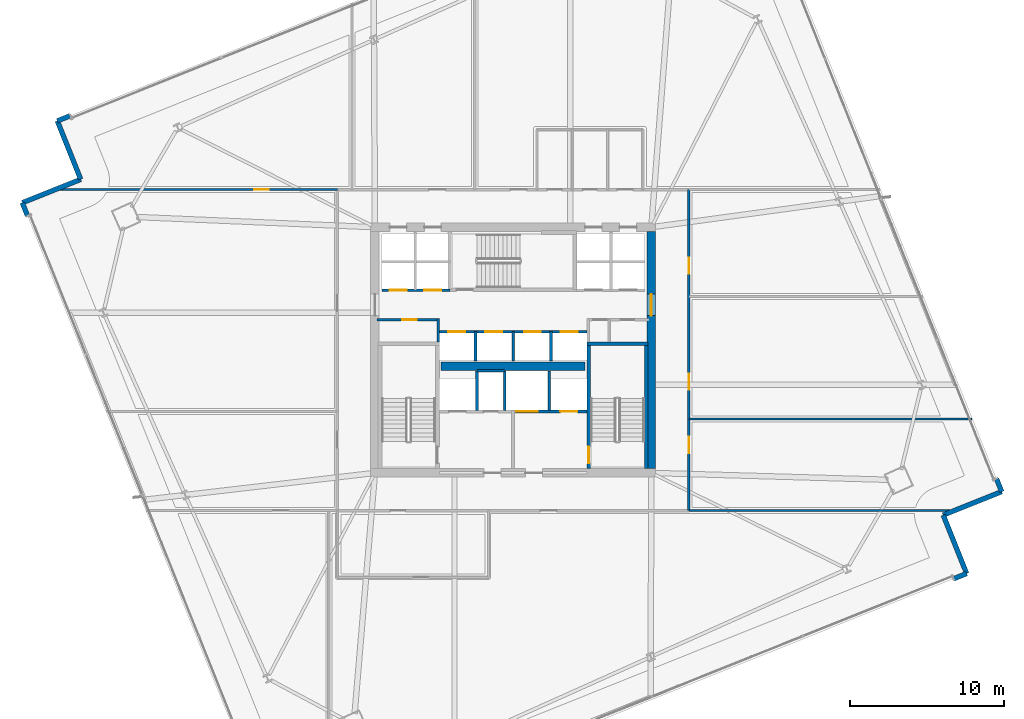
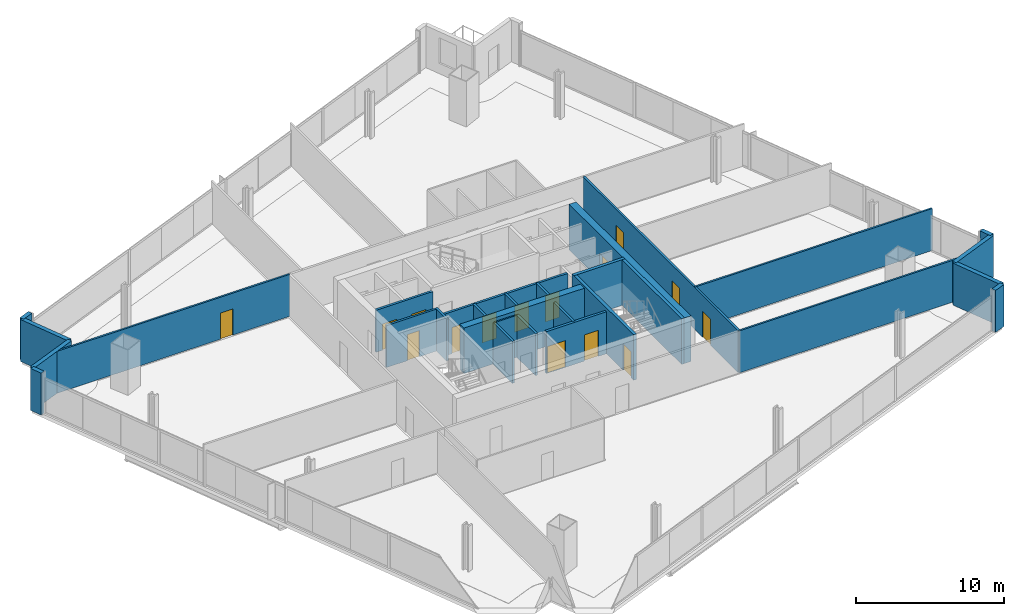
# One storey, part 25 of 33: 29 walls, 15 doors, 15 openings.
"""IFC4 building model written with IfcOpenShell, lengths in metres."""

from ifc_helpers import new_model, si_unit, direction, frame, frame_2d, origin, place, context, subcontext, project, spatial, rectangle, extrude, material, layer, layer_set, type_object, element, fill, save


model = new_model("IFC4")

# Units and contexts
model_context = context("Model", 3, precision=1e-05, world=origin(), true_north=direction((0.0, 1.0)))
body_context = subcontext(model_context, "Body", "Model", "MODEL_VIEW")
ifc_project = project(units=[si_unit("LENGTHUNIT", "METRE"), si_unit("AREAUNIT", "SQUARE_METRE"), si_unit("VOLUMEUNIT", "CUBIC_METRE"), si_unit("PLANEANGLEUNIT", "RADIAN"), si_unit("MASSUNIT", "GRAM", prefix="KILO")], contexts=[model_context])

# Site, building, storey
site_placement = place(None, origin())
site = spatial("IfcSite", under=ifc_project, at=site_placement, CompositionType="ELEMENT")
building_placement = place(site_placement, origin())
building = spatial("IfcBuilding", under=site, at=building_placement, Name="Haldenkirk Collegiate Tower", CompositionType="ELEMENT")
storey_placement = place(building_placement, frame((0.0, 0.0, 101.699951171875)))
storey = spatial("IfcBuildingStorey", under=building, at=storey_placement, Name="L24", CompositionType="ELEMENT", Elevation=101.699951171875)

# Wall, opening, door
ifc_material_1 = material(Name="Concrete f'c 70 MPa", Category="concrete")
ifc_layer_1 = layer(ifc_material_1, 0.550048828125)
ifc_layer_set_1 = layer_set([ifc_layer_1], Name="Concrete f'c 70 MPa")
wall_type_1 = type_object("IfcWallType", Name="WL-CORE-550", PredefinedType="SHEAR", material=ifc_layer_set_1)
wall_1_placement = place(storey_placement, frame((45.0, 18.27490234375, 0.0), z_axis=(0.0, 0.0, 1.0), x_axis=(0.0, 1.0, 0.0)))
wall_1 = element("IfcWall", 1, at=wall_1_placement, inside=storey, type_object=wall_type_1, Name="L24 central core shear wall E", PredefinedType="SHEAR", context=body_context, shape_type="SweptSolid", body=[
    extrude(rectangle(XDim=15.4501953125, YDim=0.550048828125, at=frame_2d((7.72509765625, 0.0))), origin(), (0.0, 0.0, 1.0), 3.75),
])
opening_1_placement = place(wall_1_placement, frame((9.965087890625, 0.0, 0.0)))
opening_1 = element("IfcOpeningElement", 2, at=opening_1_placement, cuts=wall_1, Name="Opening D-03", PredefinedType="OPENING", context=body_context, shape_type="SweptSolid", body=[
    extrude(rectangle(XDim=1.39990234375, YDim=2.199951171875, at=frame_2d((0.699951171875, 1.10009765625))), frame((0.0, 0.284912109375, 0.0), z_axis=(0.0, -1.0, 0.0), x_axis=(1.0, 0.0, 0.0)), (0.0, 0.0, 1.0), 0.570068359375),
])
ifc_material_2 = material(Name="Galvanized fire-rated hollow steel door", Category="steel")
ifc_layer_2 = layer(ifc_material_2, 0.06005859375)
ifc_layer_set_2 = layer_set([ifc_layer_2], Name="Galvanized fire-rated hollow steel door")
door_type_1 = type_object("IfcDoorType", Name="DR-LOBBY-FD90-1400", OperationType="NOTDEFINED", PredefinedType="DOOR", material=ifc_layer_set_2)
door_1_placement = place(opening_1_placement, origin())
door_1 = element("IfcDoor", 3, at=door_1_placement, inside=storey, type_object=door_type_1, Name="L24 east lift lobby portal", OperationType="DOUBLE_DOOR_SINGLE_SWING", OverallHeight=2.199951171875, OverallWidth=1.39990234375, PredefinedType="DOOR", context=body_context, shape_type="SweptSolid", body=[
    extrude(rectangle(XDim=1.39990234375, YDim=2.199951171875, at=frame_2d((0.699951171875, 1.10009765625))), frame((0.0, 0.02490234375, 0.0), z_axis=(0.0, -1.0, 0.0), x_axis=(1.0, 0.0, 0.0)), (0.0, 0.0, 1.0), 0.050048828125),
])
fill(opening_1, door_1)

# Walls
wall_2_placement = place(storey_placement, frame((31.31005859375, 24.949951171875, 0.0), z_axis=(0.0, 0.0, 1.0), x_axis=(1.0, 0.0, 0.0)))
element("IfcWall", 4, at=wall_2_placement, inside=storey, type_object=wall_type_1, Name="L24 central core spine shear wall", PredefinedType="SHEAR", context=body_context, shape_type="SweptSolid", body=[
    extrude(rectangle(XDim=9.3798828125, YDim=0.550048828125, at=frame_2d((4.68994140625, 0.0))), origin(), (0.0, 0.0, 1.0), 3.75),
])
ifc_material_3 = material(Name="Precast concrete f'c 40 MPa", Category="concrete")
ifc_layer_3 = layer(ifc_material_3, 0.320068359375)
ifc_layer_set_3 = layer_set([ifc_layer_3], Name="Precast concrete f'c 40 MPa")
wall_type_2 = type_object("IfcWallType", Name="WL-EXT-TWR-320", PredefinedType="STANDARD", material=ifc_layer_set_3)
wall_3_placement = place(storey_placement, frame((65.537841796875, 11.447998046875, 0.0), z_axis=(0.0, 0.0, 1.0), x_axis=(-0.928139514841, -0.372232509314, 0.0)))
element("IfcWall", 5, at=wall_3_placement, inside=storey, type_object=wall_type_2, Name="L24 precast corner pier SL", PredefinedType="STANDARD", context=body_context, shape_type="SweptSolid", body=[
    extrude(rectangle(XDim=0.89990234375, YDim=0.320068359375, at=frame_2d((0.449951171875, 0.0))), origin(), (0.0, 0.0, 1.0), 3.449951171875),
])
for number, where, z_axis, x_axis, name in (
    (6, (64.011962890625, 15.25341796875, 0.0), (0.0, 0.0, 1.0), (0.372170820584, -0.92816425287, 0.0), "L24 bronze precast notch wall 02"),
    (7, (67.8173828125, 16.779296875, 0.0), (0.0, 0.0, 1.0), (-0.92816425287, -0.372170820584, 0.0), "L24 bronze precast notch wall 03"),
):
    element("IfcWall", number, at=place(storey_placement, frame(where, z_axis=z_axis, x_axis=x_axis)), inside=storey, type_object=wall_type_2, Name=name, PredefinedType="STANDARD", context=body_context, shape_type="SweptSolid", body=[
        extrude(rectangle(XDim=4.099853515625, YDim=0.320068359375, at=frame_2d((2.0498046875, 0.0))), origin(), (0.0, 0.0, 1.0), 3.449951171875),
    ])
wall_4_placement = place(storey_placement, frame((67.482421875, 17.61474609375, 0.0), z_axis=(0.0, 0.0, 1.0), x_axis=(0.372138799042, -0.928177092072, 0.0)))
element("IfcWall", 8, at=wall_4_placement, inside=storey, type_object=wall_type_2, Name="L24 precast corner pier ER", PredefinedType="STANDARD", context=body_context, shape_type="SweptSolid", body=[
    extrude(rectangle(XDim=0.900146484375, YDim=0.320068359375, at=frame_2d((0.4501953125, 0.0))), origin(), (0.0, 0.0, 1.0), 3.449951171875),
])
wall_5_placement = place(storey_placement, frame((6.313232421875, 40.92333984375, 0.0), z_axis=(0.0, 0.0, 1.0), x_axis=(0.928139514841, 0.372232509314, 0.0)))
element("IfcWall", 9, at=wall_5_placement, inside=storey, type_object=wall_type_2, Name="L24 precast corner pier NL", PredefinedType="STANDARD", context=body_context, shape_type="SweptSolid", body=[
    extrude(rectangle(XDim=0.89990234375, YDim=0.320068359375, at=frame_2d((0.449951171875, 0.0))), origin(), (0.0, 0.0, 1.0), 3.449951171875),
])
wall_6_placement = place(storey_placement, frame((7.839111328125, 37.117919921875, 0.0), z_axis=(0.0, 0.0, 1.0), x_axis=(-0.372170820584, 0.92816425287, 0.0)))
element("IfcWall", 10, at=wall_6_placement, inside=storey, type_object=wall_type_2, Name="L24 bronze precast notch wall 08", PredefinedType="STANDARD", context=body_context, shape_type="SweptSolid", body=[
    extrude(rectangle(XDim=4.099853515625, YDim=0.320068359375, at=frame_2d((2.0498046875, 0.0))), origin(), (0.0, 0.0, 1.0), 3.449951171875),
])
wall_7_placement = place(storey_placement, frame((4.03369140625, 35.591796875, 0.0), z_axis=(0.0, 0.0, 1.0), x_axis=(0.928143682137, 0.372222118242, 0.0)))
element("IfcWall", 11, at=wall_7_placement, inside=storey, type_object=wall_type_2, Name="L24 bronze precast notch wall 09", PredefinedType="STANDARD", context=body_context, shape_type="SweptSolid", body=[
    extrude(rectangle(XDim=4.10009765625, YDim=0.320068359375, at=frame_2d((2.050048828125, 0.0))), origin(), (0.0, 0.0, 1.0), 3.449951171875),
])
wall_8_placement = place(storey_placement, frame((4.36865234375, 34.756591796875, 0.0), z_axis=(0.0, 0.0, 1.0), x_axis=(-0.372232509314, 0.928139514841, 0.0)))
element("IfcWall", 12, at=wall_8_placement, inside=storey, type_object=wall_type_2, Name="L24 precast corner pier WR", PredefinedType="STANDARD", context=body_context, shape_type="SweptSolid", body=[
    extrude(rectangle(XDim=0.89990234375, YDim=0.320068359375, at=frame_2d((0.449951171875, 0.0))), origin(), (0.0, 0.0, 1.0), 3.449951171875),
])

# Wall, opening, door
ifc_material_4 = material(Name="Acoustic fire-rated gypsum partition", Category="concrete")
ifc_layer_4 = layer(ifc_material_4, 0.159912109375)
ifc_layer_set_4 = layer_set([ifc_layer_4], Name="Acoustic fire-rated gypsum partition")
wall_type_3 = type_object("IfcWallType", Name="WL-INT-CORR-160", PredefinedType="PARTITIONING", material=ifc_layer_set_4)
wall_9_placement = place(storey_placement, frame((27.14990234375, 27.97998046875, 0.0), z_axis=(0.0, 0.0, 1.0), x_axis=(1.0, 0.0, 0.0)))
wall_9 = element("IfcWall", 13, at=wall_9_placement, inside=storey, type_object=wall_type_3, Name="L24 interior partition IW-L24-VCSW-N", PredefinedType="PARTITIONING", context=body_context, shape_type="SweptSolid", body=[
    extrude(rectangle(XDim=4.050048828125, YDim=0.159912109375, at=frame_2d((2.02490234375, 0.0))), origin(), (0.0, 0.0, 1.0), 3.449951171875),
])
opening_2_placement = place(wall_9_placement, frame((1.625, 0.0, 0.0)))
opening_2 = element("IfcOpeningElement", 14, at=opening_2_placement, cuts=wall_9, Name="Opening D-10", PredefinedType="OPENING", context=body_context, shape_type="SweptSolid", body=[
    extrude(rectangle(XDim=0.949951171875, YDim=2.14990234375, at=frame_2d((0.47509765625, 1.074951171875))), frame((0.0, 0.08984375, 0.0), z_axis=(0.0, -1.0, 0.0), x_axis=(1.0, 0.0, 0.0)), (0.0, 0.0, 1.0), 0.179931640625),
])
ifc_material_5 = material(Name="Solid-core architectural oak fire door", Category="wood")
ifc_layer_5 = layer(ifc_material_5, 0.06005859375)
ifc_layer_set_5 = layer_set([ifc_layer_5], Name="Solid-core architectural oak fire door")
door_type_2 = type_object("IfcDoorType", Name="DR-INT-FD60-950", OperationType="NOTDEFINED", PredefinedType="DOOR", material=ifc_layer_set_5)
door_2_placement = place(opening_2_placement, origin())
door_2 = element("IfcDoor", 15, at=door_2_placement, inside=storey, type_object=door_type_2, Name="L24 core tea pantry door", OperationType="SINGLE_SWING_RIGHT", OverallHeight=2.14990234375, OverallWidth=0.949951171875, PredefinedType="DOOR", context=body_context, shape_type="SweptSolid", body=[
    extrude(rectangle(XDim=0.949951171875, YDim=2.14990234375, at=frame_2d((0.47509765625, 1.074951171875))), frame((0.0, 0.02490234375, 0.0), z_axis=(0.0, -1.0, 0.0), x_axis=(1.0, 0.0, 0.0)), (0.0, 0.0, 1.0), 0.050048828125),
])
fill(opening_2, door_2)

# Wall
wall_10_placement = place(storey_placement, frame((31.1201171875, 26.5400390625, 0.0), z_axis=(0.0, 0.0, 1.0), x_axis=(0.0, 1.0, 0.0)))
element("IfcWall", 16, at=wall_10_placement, inside=storey, type_object=wall_type_3, Name="L24 interior partition IW-L24-VCSW-E", PredefinedType="PARTITIONING", context=body_context, shape_type="SweptSolid", body=[
    extrude(rectangle(XDim=1.510009765625, YDim=0.159912109375, at=frame_2d((0.7548828125, 0.0))), origin(), (0.0, 0.0, 1.0), 3.449951171875),
])

# Wall, openings, doors
wall_11_placement = place(storey_placement, frame((47.449951171875, 15.550048828125, 0.0), z_axis=(0.0, 0.0, 1.0), x_axis=(0.0, 1.0, 0.0)))
wall_11 = element("IfcWall", 17, at=wall_11_placement, inside=storey, type_object=wall_type_3, Name="L24 interior partition IW-L24-CE", PredefinedType="PARTITIONING", context=body_context, shape_type="SweptSolid", body=[
    extrude(rectangle(XDim=20.89990234375, YDim=0.159912109375, at=frame_2d((10.449951171875, 0.0))), origin(), (0.0, 0.0, 1.0), 3.449951171875),
])
opening_3_placement = place(wall_11_placement, frame((3.7470703125, 0.0, 0.0)))
opening_3 = element("IfcOpeningElement", 18, at=opening_3_placement, cuts=wall_11, Name="Opening D-09", PredefinedType="OPENING", context=body_context, shape_type="SweptSolid", body=[
    extrude(rectangle(XDim=1.050048828125, YDim=2.14990234375, at=frame_2d((0.52490234375, 1.074951171875))), frame((0.0, 0.08984375, 0.0), z_axis=(0.0, -1.0, 0.0), x_axis=(1.0, 0.0, 0.0)), (0.0, 0.0, 1.0), 0.179931640625),
])
opening_4_placement = place(wall_11_placement, frame((7.864990234375, 0.0, 0.0)))
opening_4 = element("IfcOpeningElement", 19, at=opening_4_placement, cuts=wall_11, Name="Opening D-09", PredefinedType="OPENING", context=body_context, shape_type="SweptSolid", body=[
    extrude(rectangle(XDim=1.050048828125, YDim=2.14990234375, at=frame_2d((0.52490234375, 1.074951171875))), frame((0.0, 0.08984375, 0.0), z_axis=(0.0, -1.0, 0.0), x_axis=(1.0, 0.0, 0.0)), (0.0, 0.0, 1.0), 0.179931640625),
])
opening_5_placement = place(wall_11_placement, frame((15.423095703125, 0.0, 0.0)))
opening_5 = element("IfcOpeningElement", 20, at=opening_5_placement, cuts=wall_11, Name="Opening D-09", PredefinedType="OPENING", context=body_context, shape_type="SweptSolid", body=[
    extrude(rectangle(XDim=1.050048828125, YDim=2.14990234375, at=frame_2d((0.52490234375, 1.074951171875))), frame((0.0, 0.08984375, 0.0), z_axis=(0.0, -1.0, 0.0), x_axis=(1.0, 0.0, 0.0)), (0.0, 0.0, 1.0), 0.179931640625),
])
ifc_layer_6 = layer(ifc_material_5, 0.06005859375)
ifc_layer_set_6 = layer_set([ifc_layer_6], Name="Solid-core architectural oak fire door")
door_type_3 = type_object("IfcDoorType", Name="DR-INT-FD60-1050", OperationType="NOTDEFINED", PredefinedType="DOOR", material=ifc_layer_set_6)
door_3_placement = place(opening_3_placement, origin())
door_3 = element("IfcDoor", 21, at=door_3_placement, inside=storey, type_object=door_type_3, Name="L24 Senior Fellow Office 8 door", OperationType="SINGLE_SWING_LEFT", OverallHeight=2.14990234375, OverallWidth=1.050048828125, PredefinedType="DOOR", context=body_context, shape_type="SweptSolid", body=[
    extrude(rectangle(XDim=1.050048828125, YDim=2.14990234375, at=frame_2d((0.52490234375, 1.074951171875))), frame((0.0, 0.02490234375, 0.0), z_axis=(0.0, -1.0, 0.0), x_axis=(1.0, 0.0, 0.0)), (0.0, 0.0, 1.0), 0.050048828125),
])
fill(opening_3, door_3)
door_4_placement = place(opening_4_placement, origin())
door_4 = element("IfcDoor", 22, at=door_4_placement, inside=storey, type_object=door_type_3, Name="L24 Research Office 9 door", OperationType="SINGLE_SWING_RIGHT", OverallHeight=2.14990234375, OverallWidth=1.050048828125, PredefinedType="DOOR", context=body_context, shape_type="SweptSolid", body=[
    extrude(rectangle(XDim=1.050048828125, YDim=2.14990234375, at=frame_2d((0.52490234375, 1.074951171875))), frame((0.0, 0.02490234375, 0.0), z_axis=(0.0, -1.0, 0.0), x_axis=(1.0, 0.0, 0.0)), (0.0, 0.0, 1.0), 0.050048828125),
])
fill(opening_4, door_4)
door_5_placement = place(opening_5_placement, origin())
door_5 = element("IfcDoor", 23, at=door_5_placement, inside=storey, type_object=door_type_3, Name="L24 Departmental Office 10 door", OperationType="SINGLE_SWING_LEFT", OverallHeight=2.14990234375, OverallWidth=1.050048828125, PredefinedType="DOOR", context=body_context, shape_type="SweptSolid", body=[
    extrude(rectangle(XDim=1.050048828125, YDim=2.14990234375, at=frame_2d((0.52490234375, 1.074951171875))), frame((0.0, 0.02490234375, 0.0), z_axis=(0.0, -1.0, 0.0), x_axis=(1.0, 0.0, 0.0)), (0.0, 0.0, 1.0), 0.050048828125),
])
fill(opening_5, door_5)

# Wall, opening, door
ifc_layer_7 = layer(ifc_material_4, 0.139892578125)
ifc_layer_set_7 = layer_set([ifc_layer_7], Name="Acoustic fire-rated gypsum partition")
wall_type_4 = type_object("IfcWallType", Name="WL-INT-DIV-140", PredefinedType="PARTITIONING", material=ifc_layer_set_7)
wall_12_placement = place(storey_placement, frame((6.28125, 36.449951171875, 0.0), z_axis=(0.0, 0.0, 1.0), x_axis=(1.0, 0.0, 0.0)))
wall_12 = element("IfcWall", 24, at=wall_12_placement, inside=storey, type_object=wall_type_4, Name="L24 interior partition IW-L24-BWN", PredefinedType="PARTITIONING", context=body_context, shape_type="SweptSolid", body=[
    extrude(rectangle(XDim=18.268798828125, YDim=0.139892578125, at=frame_2d((9.13427734375, 0.0))), origin(), (0.0, 0.0, 1.0), 3.449951171875),
])
opening_6_placement = place(wall_12_placement, frame((12.86376953125, 0.0, 0.0)))
opening_6 = element("IfcOpeningElement", 25, at=opening_6_placement, cuts=wall_12, Name="Opening D-12", PredefinedType="OPENING", context=body_context, shape_type="SweptSolid", body=[
    extrude(rectangle(XDim=0.949951171875, YDim=2.14990234375, at=frame_2d((0.47509765625, 1.074951171875))), frame((0.0, 0.079833984375, 0.0), z_axis=(0.0, -1.0, 0.0), x_axis=(1.0, 0.0, 0.0)), (0.0, 0.0, 1.0), 0.159912109375),
])
ifc_layer_8 = layer(ifc_material_5, 0.06005859375)
ifc_layer_set_8 = layer_set([ifc_layer_8], Name="Solid-core architectural oak fire door")
door_type_4 = type_object("IfcDoorType", Name="DR-INT-STD-950", OperationType="NOTDEFINED", PredefinedType="DOOR", material=ifc_layer_set_8)
door_6_placement = place(opening_6_placement, origin())
door_6 = element("IfcDoor", 26, at=door_6_placement, inside=storey, type_object=door_type_4, Name="L24 Research Office 3 door", OperationType="SINGLE_SWING_RIGHT", OverallHeight=2.14990234375, OverallWidth=0.949951171875, PredefinedType="DOOR", context=body_context, shape_type="SweptSolid", body=[
    extrude(rectangle(XDim=0.949951171875, YDim=2.14990234375, at=frame_2d((0.47509765625, 1.074951171875))), frame((0.0, 0.02490234375, 0.0), z_axis=(0.0, -1.0, 0.0), x_axis=(1.0, 0.0, 0.0)), (0.0, 0.0, 1.0), 0.050048828125),
])
fill(opening_6, door_6)

# Walls
wall_13_placement = place(storey_placement, frame((47.449951171875, 15.550048828125, 0.0), z_axis=(0.0, 0.0, 1.0), x_axis=(1.0, 0.0, 0.0)))
element("IfcWall", 27, at=wall_13_placement, inside=storey, type_object=wall_type_4, Name="L24 interior partition IW-L24-BES", PredefinedType="PARTITIONING", context=body_context, shape_type="SweptSolid", body=[
    extrude(rectangle(XDim=17.1943359375, YDim=0.139892578125, at=frame_2d((8.59716796875, 0.0))), origin(), (0.0, 0.0, 1.0), 3.449951171875),
])
wall_14_placement = place(storey_placement, frame((47.449951171875, 21.5, 0.0), z_axis=(0.0, 0.0, 1.0), x_axis=(1.0, 0.0, 0.0)))
element("IfcWall", 28, at=wall_14_placement, inside=storey, type_object=wall_type_4, Name="L24 interior partition IW-L24-RE1", PredefinedType="PARTITIONING", context=body_context, shape_type="SweptSolid", body=[
    extrude(rectangle(XDim=18.431396484375, YDim=0.139892578125, at=frame_2d((9.2158203125, 0.0))), origin(), (0.0, 0.0, 1.0), 3.449951171875),
])
ifc_material_6 = material(Name="Fire-rated gypsum shaftboard assembly", Category="concrete")
ifc_layer_9 = layer(ifc_material_6, 0.179931640625)
ifc_layer_set_9 = layer_set([ifc_layer_9], Name="Fire-rated gypsum shaftboard assembly")
wall_type_5 = type_object("IfcWallType", Name="WL-INT-SHAFT-180", PredefinedType="PARTITIONING", material=ifc_layer_set_9)
for number, where, z_axis, x_axis, name in (
    (29, (33.64990234375, 22.050048828125, 0.0), (0.0, 0.0, 1.0), (0.0, 1.0, 0.0), "L24 interior partition IW-L24-FL1E"),
    (30, (35.449951171875, 22.050048828125, 0.0), (0.0, 0.0, 1.0), (0.0, 1.0, 0.0), "L24 interior partition IW-L24-GL1W"),
):
    element("IfcWall", number, at=place(storey_placement, frame(where, z_axis=z_axis, x_axis=x_axis)), inside=storey, type_object=wall_type_5, Name=name, PredefinedType="PARTITIONING", context=body_context, shape_type="SweptSolid", body=[
        extrude(rectangle(XDim=2.599853515625, YDim=0.179931640625, at=frame_2d((1.2998046875, 0.0))), origin(), (0.0, 0.0, 1.0), 3.449951171875),
    ])
wall_15_placement = place(storey_placement, frame((33.64990234375, 24.64990234375, 0.0), z_axis=(0.0, 0.0, 1.0), x_axis=(1.0, 0.0, 0.0)))
element("IfcWall", 31, at=wall_15_placement, inside=storey, type_object=wall_type_5, Name="L24 interior partition IW-L24-RSRN", PredefinedType="PARTITIONING", context=body_context, shape_type="SweptSolid", body=[
    extrude(rectangle(XDim=1.800048828125, YDim=0.179931640625, at=frame_2d((0.89990234375, 0.0))), origin(), (0.0, 0.0, 1.0), 3.449951171875),
])
wall_16_placement = place(storey_placement, frame((38.35009765625, 22.050048828125, 0.0), z_axis=(0.0, 0.0, 1.0), x_axis=(0.0, 1.0, 0.0)))
element("IfcWall", 32, at=wall_16_placement, inside=storey, type_object=wall_type_5, Name="L24 interior partition IW-L24-GL1E", PredefinedType="PARTITIONING", context=body_context, shape_type="SweptSolid", body=[
    extrude(rectangle(XDim=2.599853515625, YDim=0.179931640625, at=frame_2d((1.2998046875, 0.0))), origin(), (0.0, 0.0, 1.0), 3.449951171875),
])

# Wall, openings, doors
wall_17_placement = place(storey_placement, frame((27.449951171875, 29.89990234375, 0.0), z_axis=(0.0, 0.0, 1.0), x_axis=(1.0, 0.0, 0.0)))
wall_17 = element("IfcWall", 33, at=wall_17_placement, inside=storey, type_object=wall_type_5, Name="L24 interior partition IW-L24-PLS", PredefinedType="PARTITIONING", context=body_context, shape_type="SweptSolid", body=[
    extrude(rectangle(XDim=4.429931640625, YDim=0.179931640625, at=frame_2d((2.21484375, 0.0))), origin(), (0.0, 0.0, 1.0), 3.449951171875),
])
opening_7_placement = place(wall_17_placement, frame((0.514892578125, 0.0, 0.0)))
opening_7 = element("IfcOpeningElement", 34, at=opening_7_placement, cuts=wall_17, Name="Opening LD-11", PredefinedType="OPENING", context=body_context, shape_type="SweptSolid", body=[
    extrude(rectangle(XDim=1.10009765625, YDim=2.14990234375, at=frame_2d((0.550048828125, 1.074951171875))), frame((0.0, 0.099853515625, 0.0), z_axis=(0.0, -1.0, 0.0), x_axis=(1.0, 0.0, 0.0)), (0.0, 0.0, 1.0), 0.199951171875),
])
opening_8_placement = place(wall_17_placement, frame((2.764892578125, 0.0, 0.0)))
opening_8 = element("IfcOpeningElement", 35, at=opening_8_placement, cuts=wall_17, Name="Opening LD-11", PredefinedType="OPENING", context=body_context, shape_type="SweptSolid", body=[
    extrude(rectangle(XDim=1.10009765625, YDim=2.14990234375, at=frame_2d((0.550048828125, 1.074951171875))), frame((0.0, 0.099853515625, 0.0), z_axis=(0.0, -1.0, 0.0), x_axis=(1.0, 0.0, 0.0)), (0.0, 0.0, 1.0), 0.199951171875),
])
ifc_material_7 = material(Name="Brushed architectural stainless steel", Category="steel")
ifc_layer_10 = layer(ifc_material_7, 0.06005859375)
ifc_layer_set_10 = layer_set([ifc_layer_10], Name="Brushed architectural stainless steel")
door_type_5 = type_object("IfcDoorType", Name="LD-PASS-1100", OperationType="NOTDEFINED", PredefinedType="DOOR", material=ifc_layer_set_10)
door_7_placement = place(opening_7_placement, origin())
door_7 = element("IfcDoor", 36, at=door_7_placement, inside=storey, type_object=door_type_5, Name="L24 Elevator PL1 sliding landing door", OperationType="SLIDING_TO_LEFT", OverallHeight=2.14990234375, OverallWidth=1.10009765625, PredefinedType="DOOR", context=body_context, shape_type="SweptSolid", body=[
    extrude(rectangle(XDim=1.10009765625, YDim=2.14990234375, at=frame_2d((0.550048828125, 1.074951171875))), frame((0.0, 0.02490234375, 0.0), z_axis=(0.0, -1.0, 0.0), x_axis=(1.0, 0.0, 0.0)), (0.0, 0.0, 1.0), 0.050048828125),
])
fill(opening_7, door_7)
door_8_placement = place(opening_8_placement, origin())
door_8 = element("IfcDoor", 37, at=door_8_placement, inside=storey, type_object=door_type_5, Name="L24 Elevator PL2 sliding landing door", OperationType="SLIDING_TO_LEFT", OverallHeight=2.14990234375, OverallWidth=1.10009765625, PredefinedType="DOOR", context=body_context, shape_type="SweptSolid", body=[
    extrude(rectangle(XDim=1.10009765625, YDim=2.14990234375, at=frame_2d((0.550048828125, 1.074951171875))), frame((0.0, 0.02490234375, 0.0), z_axis=(0.0, -1.0, 0.0), x_axis=(1.0, 0.0, 0.0)), (0.0, 0.0, 1.0), 0.050048828125),
])
fill(opening_8, door_8)

wall_18_placement = place(storey_placement, frame((31.199951171875, 27.199951171875, 0.0), z_axis=(0.0, 0.0, 1.0), x_axis=(1.0, 0.0, 0.0)))
wall_18 = element("IfcWall", 38, at=wall_18_placement, inside=storey, type_object=wall_type_5, Name="L24 interior partition IW-L24-PHN", PredefinedType="PARTITIONING", context=body_context, shape_type="SweptSolid", body=[
    extrude(rectangle(XDim=9.60009765625, YDim=0.179931640625, at=frame_2d((4.800048828125, 0.0))), origin(), (0.0, 0.0, 1.0), 3.449951171875),
])
opening_9_placement = place(wall_18_placement, frame((0.590087890625, 0.0, 0.0)))
opening_9 = element("IfcOpeningElement", 39, at=opening_9_placement, cuts=wall_18, Name="Opening LD-11", PredefinedType="OPENING", context=body_context, shape_type="SweptSolid", body=[
    extrude(rectangle(XDim=1.10009765625, YDim=2.14990234375, at=frame_2d((0.550048828125, 1.074951171875))), frame((0.0, 0.099853515625, 0.0), z_axis=(0.0, -1.0, 0.0), x_axis=(1.0, 0.0, 0.0)), (0.0, 0.0, 1.0), 0.199951171875),
])
opening_10_placement = place(wall_18_placement, frame((2.989990234375, 0.0, 0.0)))
opening_10 = element("IfcOpeningElement", 40, at=opening_10_placement, cuts=wall_18, Name="Opening LD-11", PredefinedType="OPENING", context=body_context, shape_type="SweptSolid", body=[
    extrude(rectangle(XDim=1.10009765625, YDim=2.14990234375, at=frame_2d((0.550048828125, 1.074951171875))), frame((0.0, 0.099853515625, 0.0), z_axis=(0.0, -1.0, 0.0), x_axis=(1.0, 0.0, 0.0)), (0.0, 0.0, 1.0), 0.199951171875),
])
opening_11_placement = place(wall_18_placement, frame((5.510009765625, 0.0, 0.0)))
opening_11 = element("IfcOpeningElement", 41, at=opening_11_placement, cuts=wall_18, Name="Opening LD-11", PredefinedType="OPENING", context=body_context, shape_type="SweptSolid", body=[
    extrude(rectangle(XDim=1.10009765625, YDim=2.14990234375, at=frame_2d((0.550048828125, 1.074951171875))), frame((0.0, 0.099853515625, 0.0), z_axis=(0.0, -1.0, 0.0), x_axis=(1.0, 0.0, 0.0)), (0.0, 0.0, 1.0), 0.199951171875),
])
opening_12_placement = place(wall_18_placement, frame((7.909912109375, 0.0, 0.0)))
opening_12 = element("IfcOpeningElement", 42, at=opening_12_placement, cuts=wall_18, Name="Opening LD-11", PredefinedType="OPENING", context=body_context, shape_type="SweptSolid", body=[
    extrude(rectangle(XDim=1.10009765625, YDim=2.14990234375, at=frame_2d((0.550048828125, 1.074951171875))), frame((0.0, 0.099853515625, 0.0), z_axis=(0.0, -1.0, 0.0), x_axis=(1.0, 0.0, 0.0)), (0.0, 0.0, 1.0), 0.199951171875),
])
door_9_placement = place(opening_9_placement, origin())
door_9 = element("IfcDoor", 43, at=door_9_placement, inside=storey, type_object=door_type_5, Name="L24 Elevator PH1 sliding landing door", OperationType="SLIDING_TO_LEFT", OverallHeight=2.14990234375, OverallWidth=1.10009765625, PredefinedType="DOOR", context=body_context, shape_type="SweptSolid", body=[
    extrude(rectangle(XDim=1.10009765625, YDim=2.14990234375, at=frame_2d((0.550048828125, 1.074951171875))), frame((0.0, 0.02490234375, 0.0), z_axis=(0.0, -1.0, 0.0), x_axis=(1.0, 0.0, 0.0)), (0.0, 0.0, 1.0), 0.050048828125),
])
fill(opening_9, door_9)
door_10_placement = place(opening_10_placement, origin())
door_10 = element("IfcDoor", 44, at=door_10_placement, inside=storey, type_object=door_type_5, Name="L24 Elevator PH2 sliding landing door", OperationType="SLIDING_TO_LEFT", OverallHeight=2.14990234375, OverallWidth=1.10009765625, PredefinedType="DOOR", context=body_context, shape_type="SweptSolid", body=[
    extrude(rectangle(XDim=1.10009765625, YDim=2.14990234375, at=frame_2d((0.550048828125, 1.074951171875))), frame((0.0, 0.02490234375, 0.0), z_axis=(0.0, -1.0, 0.0), x_axis=(1.0, 0.0, 0.0)), (0.0, 0.0, 1.0), 0.050048828125),
])
fill(opening_10, door_10)
door_11_placement = place(opening_11_placement, origin())
door_11 = element("IfcDoor", 45, at=door_11_placement, inside=storey, type_object=door_type_5, Name="L24 Elevator PH3 sliding landing door", OperationType="SLIDING_TO_LEFT", OverallHeight=2.14990234375, OverallWidth=1.10009765625, PredefinedType="DOOR", context=body_context, shape_type="SweptSolid", body=[
    extrude(rectangle(XDim=1.10009765625, YDim=2.14990234375, at=frame_2d((0.550048828125, 1.074951171875))), frame((0.0, 0.02490234375, 0.0), z_axis=(0.0, -1.0, 0.0), x_axis=(1.0, 0.0, 0.0)), (0.0, 0.0, 1.0), 0.050048828125),
])
fill(opening_11, door_11)
door_12_placement = place(opening_12_placement, origin())
door_12 = element("IfcDoor", 46, at=door_12_placement, inside=storey, type_object=door_type_5, Name="L24 Elevator PH4 sliding landing door", OperationType="SLIDING_TO_LEFT", OverallHeight=2.14990234375, OverallWidth=1.10009765625, PredefinedType="DOOR", context=body_context, shape_type="SweptSolid", body=[
    extrude(rectangle(XDim=1.10009765625, YDim=2.14990234375, at=frame_2d((0.550048828125, 1.074951171875))), frame((0.0, 0.02490234375, 0.0), z_axis=(0.0, -1.0, 0.0), x_axis=(1.0, 0.0, 0.0)), (0.0, 0.0, 1.0), 0.050048828125),
])
fill(opening_12, door_12)

# Walls
for number, where, z_axis, x_axis, name in (
    (47, (33.5400390625, 25.300048828125, 0.0), (0.0, 0.0, 1.0), (0.0, 1.0, 0.0), "L24 interior partition IW-L24-PHV1"),
    (48, (36.0, 25.300048828125, 0.0), (0.0, 0.0, 1.0), (0.0, 1.0, 0.0), "L24 interior partition IW-L24-PHV2"),
    (49, (38.4599609375, 25.300048828125, 0.0), (0.0, 0.0, 1.0), (0.0, 1.0, 0.0), "L24 interior partition IW-L24-PHV3"),
):
    element("IfcWall", number, at=place(storey_placement, frame(where, z_axis=z_axis, x_axis=x_axis)), inside=storey, type_object=wall_type_5, Name=name, PredefinedType="PARTITIONING", context=body_context, shape_type="SweptSolid", body=[
        extrude(rectangle(XDim=1.89990234375, YDim=0.179931640625, at=frame_2d((0.949951171875, 0.0))), origin(), (0.0, 0.0, 1.0), 3.449951171875),
    ])

# Wall, openings, doors
ifc_layer_11 = layer(ifc_material_6, 0.199951171875)
ifc_layer_set_11 = layer_set([ifc_layer_11], Name="Fire-rated gypsum shaftboard assembly")
wall_type_6 = type_object("IfcWallType", Name="WL-INT-SHAFT-200", PredefinedType="PARTITIONING", material=ifc_layer_set_11)
wall_19_placement = place(storey_placement, frame((36.1201171875, 22.0, 0.0), z_axis=(0.0, 0.0, 1.0), x_axis=(1.0, 0.0, 0.0)))
wall_19 = element("IfcWall", 50, at=wall_19_placement, inside=storey, type_object=wall_type_6, Name="L24 interior partition IW-L24-FFL2N", PredefinedType="PARTITIONING", context=body_context, shape_type="SweptSolid", body=[
    extrude(rectangle(XDim=4.68994140625, YDim=0.199951171875, at=frame_2d((2.344970703125, 0.0))), origin(), (0.0, 0.0, 1.0), 3.449951171875),
])
opening_13_placement = place(wall_19_placement, frame((2.955078125, 0.0, 0.0)))
opening_13 = element("IfcOpeningElement", 51, at=opening_13_placement, cuts=wall_19, Name="Opening LD-12", PredefinedType="OPENING", context=body_context, shape_type="SweptSolid", body=[
    extrude(rectangle(XDim=1.10009765625, YDim=2.14990234375, at=frame_2d((0.550048828125, 1.074951171875))), frame((0.0, 0.10986328125, 0.0), z_axis=(0.0, -1.0, 0.0), x_axis=(1.0, 0.0, 0.0)), (0.0, 0.0, 1.0), 0.219970703125),
])
opening_14_placement = place(wall_19_placement, frame((0.080078125, 0.0, 0.0)))
opening_14 = element("IfcOpeningElement", 52, at=opening_14_placement, cuts=wall_19, Name="Opening LD-13", PredefinedType="OPENING", context=body_context, shape_type="SweptSolid", body=[
    extrude(rectangle(XDim=1.39990234375, YDim=2.199951171875, at=frame_2d((0.699951171875, 1.10009765625))), frame((0.0, 0.10986328125, 0.0), z_axis=(0.0, -1.0, 0.0), x_axis=(1.0, 0.0, 0.0)), (0.0, 0.0, 1.0), 0.219970703125),
])
ifc_layer_12 = layer(ifc_material_7, 0.06005859375)
ifc_layer_set_12 = layer_set([ifc_layer_12], Name="Brushed architectural stainless steel")
door_type_6 = type_object("IfcDoorType", Name="LD-FIRE-1100", OperationType="NOTDEFINED", PredefinedType="DOOR", material=ifc_layer_set_12)
door_13_placement = place(opening_13_placement, origin())
door_13 = element("IfcDoor", 53, at=door_13_placement, inside=storey, type_object=door_type_6, Name="L24 Elevator FL2 sliding landing door", OperationType="SLIDING_TO_LEFT", OverallHeight=2.14990234375, OverallWidth=1.10009765625, PredefinedType="DOOR", context=body_context, shape_type="SweptSolid", body=[
    extrude(rectangle(XDim=1.10009765625, YDim=2.14990234375, at=frame_2d((0.550048828125, 1.074951171875))), frame((0.0, 0.02490234375, 0.0), z_axis=(0.0, -1.0, 0.0), x_axis=(1.0, 0.0, 0.0)), (0.0, 0.0, 1.0), 0.050048828125),
])
fill(opening_13, door_13)
ifc_layer_13 = layer(ifc_material_7, 0.06005859375)
ifc_layer_set_13 = layer_set([ifc_layer_13], Name="Brushed architectural stainless steel")
door_type_7 = type_object("IfcDoorType", Name="LD-GOODS-1400", OperationType="NOTDEFINED", PredefinedType="DOOR", material=ifc_layer_set_13)
door_14_placement = place(opening_14_placement, origin())
door_14 = element("IfcDoor", 54, at=door_14_placement, inside=storey, type_object=door_type_7, Name="L24 Elevator GL1 sliding landing door", OperationType="SLIDING_TO_LEFT", OverallHeight=2.199951171875, OverallWidth=1.39990234375, PredefinedType="DOOR", context=body_context, shape_type="SweptSolid", body=[
    extrude(rectangle(XDim=1.39990234375, YDim=2.199951171875, at=frame_2d((0.699951171875, 1.10009765625))), frame((0.0, 0.02490234375, 0.0), z_axis=(0.0, -1.0, 0.0), x_axis=(1.0, 0.0, 0.0)), (0.0, 0.0, 1.0), 0.050048828125),
])
fill(opening_14, door_14)

# Wall, opening, door
ifc_material_8 = material(Name="Concrete f'c 55 MPa", Category="concrete")
ifc_layer_14 = layer(ifc_material_8, 0.239990234375)
ifc_layer_set_14 = layer_set([ifc_layer_14], Name="Concrete f'c 55 MPa")
wall_type_7 = type_object("IfcWallType", Name="WL-SHAFT-240", PredefinedType="SHEAR", material=ifc_layer_set_14)
wall_20_placement = place(storey_placement, frame((40.929931640625, 18.280029296875, 0.0), z_axis=(0.0, 0.0, 1.0), x_axis=(0.0, 1.0, 0.0)))
wall_20 = element("IfcWall", 55, at=wall_20_placement, inside=storey, type_object=wall_type_7, Name="L24 stair shaft shear wall SW-L24-ST2W", PredefinedType="SHEAR", context=body_context, shape_type="SweptSolid", body=[
    extrude(rectangle(XDim=8.260009765625, YDim=0.239990234375, at=frame_2d((4.1298828125, 0.0))), origin(), (0.0, 0.0, 1.0), 3.75),
])
opening_15_placement = place(wall_20_placement, frame((0.364990234375, 0.0, 0.0)))
opening_15 = element("IfcOpeningElement", 56, at=opening_15_placement, cuts=wall_20, Name="Opening D-01", PredefinedType="OPENING", context=body_context, shape_type="SweptSolid", body=[
    extrude(rectangle(XDim=1.050048828125, YDim=2.14990234375, at=frame_2d((0.52490234375, 1.074951171875))), frame((0.0, 0.1298828125, 0.0), z_axis=(0.0, -1.0, 0.0), x_axis=(1.0, 0.0, 0.0)), (0.0, 0.0, 1.0), 0.260009765625),
])
ifc_layer_15 = layer(ifc_material_2, 0.06005859375)
ifc_layer_set_15 = layer_set([ifc_layer_15], Name="Galvanized fire-rated hollow steel door")
door_type_8 = type_object("IfcDoorType", Name="DR-STAIR-FD90-1050", OperationType="NOTDEFINED", PredefinedType="DOOR", material=ifc_layer_set_15)
door_15_placement = place(opening_15_placement, origin())
door_15 = element("IfcDoor", 57, at=door_15_placement, inside=storey, type_object=door_type_8, Name="L24 Stair 2 door", OperationType="SINGLE_SWING_RIGHT", OverallHeight=2.14990234375, OverallWidth=1.050048828125, PredefinedType="DOOR", context=body_context, shape_type="SweptSolid", body=[
    extrude(rectangle(XDim=1.050048828125, YDim=2.14990234375, at=frame_2d((0.52490234375, 1.074951171875))), frame((0.0, 0.02490234375, 0.0), z_axis=(0.0, -1.0, 0.0), x_axis=(1.0, 0.0, 0.0)), (0.0, 0.0, 1.0), 0.050048828125),
])
fill(opening_15, door_15)

# Walls
wall_21_placement = place(storey_placement, frame((40.81005859375, 26.419921875, 0.0), z_axis=(0.0, 0.0, 1.0), x_axis=(1.0, 0.0, 0.0)))
element("IfcWall", 58, at=wall_21_placement, inside=storey, type_object=wall_type_7, Name="L24 stair shaft shear wall SW-L24-ST2N", PredefinedType="SHEAR", context=body_context, shape_type="SweptSolid", body=[
    extrude(rectangle(XDim=3.97998046875, YDim=0.239990234375, at=frame_2d((1.989990234375, 0.0))), origin(), (0.0, 0.0, 1.0), 3.75),
])
wall_22_placement = place(storey_placement, frame((44.669921875, 18.280029296875, 0.0), z_axis=(0.0, 0.0, 1.0), x_axis=(0.0, 1.0, 0.0)))
element("IfcWall", 59, at=wall_22_placement, inside=storey, type_object=wall_type_7, Name="L24 stair shaft shear wall SW-L24-ST2E", PredefinedType="SHEAR", context=body_context, shape_type="SweptSolid", body=[
    extrude(rectangle(XDim=8.260009765625, YDim=0.239990234375, at=frame_2d((4.1298828125, 0.0))), origin(), (0.0, 0.0, 1.0), 3.75),
])

save(model, "model.ifc")
